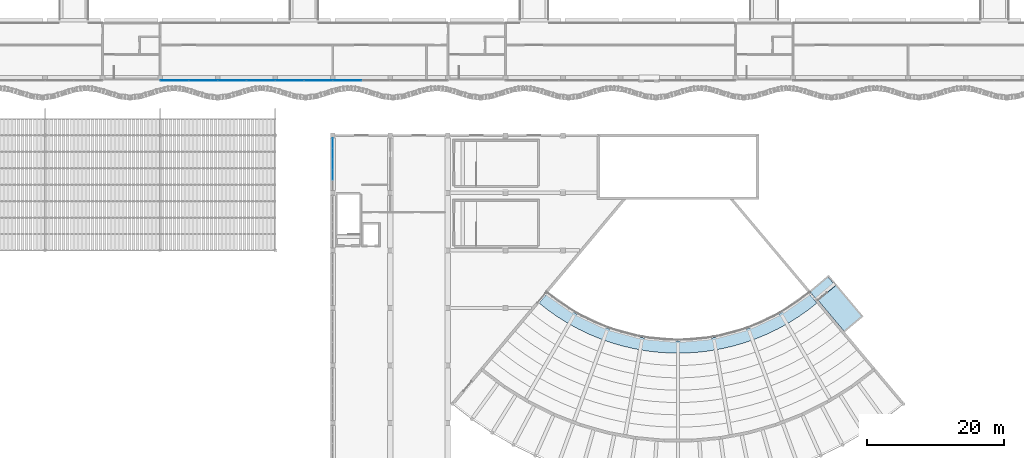
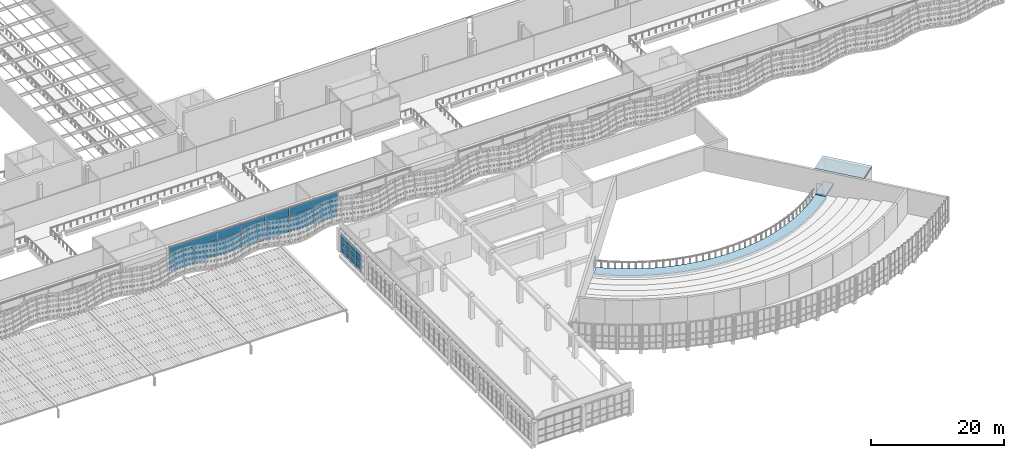
# One storey, part 73 of 162: 33 plates, 3 slabs, 2 elements without a shape of their own.
"""IFC4 building model written with IfcOpenShell, lengths in metres."""

from ifc_helpers import new_model, si_unit, direction, frame, origin, origin_2d, place, context, subcontext, project, spatial, polyline, rectangle, outline, extrude, material, layer, layer_set, type_object, element, aggregate, save


model = new_model("IFC4")

# Units and contexts
model_context = context("Model", 3, precision=1e-05, world=origin(), true_north=direction((0.0, 1.0)))
body_context = subcontext(model_context, "Body", "Model", "MODEL_VIEW")
ifc_project = project(units=[si_unit("LENGTHUNIT", "METRE"), si_unit("AREAUNIT", "SQUARE_METRE"), si_unit("VOLUMEUNIT", "CUBIC_METRE"), si_unit("PLANEANGLEUNIT", "RADIAN"), si_unit("MASSUNIT", "GRAM", prefix="KILO")], contexts=[model_context])

# Site, building, storey
site_placement = place(None, origin())
site = spatial("IfcSite", under=ifc_project, at=site_placement, CompositionType="ELEMENT")
building_placement = place(site_placement, origin())
building = spatial("IfcBuilding", under=site, at=building_placement, Name="Rain Tree Exposition and Congress Centre", CompositionType="ELEMENT")
storey_placement = place(building_placement, frame((0.0, 0.0, 6.0)))
storey = spatial("IfcBuildingStorey", under=building, at=storey_placement, Name="L01", CompositionType="ELEMENT", Elevation=6.0)

# Slab
ifc_material_1 = material(Name="Precast concrete C50/60", Category="concrete")
ifc_layer_1 = layer(ifc_material_1, 0.449951171875)
ifc_layer_set_1 = layer_set([ifc_layer_1], Name="Precast concrete C50/60")
slab_type_1 = type_object("IfcSlabType", Name="Balcony step slab 450", PredefinedType="FLOOR", material=ifc_layer_set_1)
slab_1_placement = place(storey_placement, frame((0.0, 0.0, -0.449951171875)))
element("IfcSlab", 1, at=slab_1_placement, inside=storey, type_object=slab_type_1, Name="Upper tier row 1", ObjectType="SEATING TIER", PredefinedType="USERDEFINED", context=body_context, shape_type="SweptSolid", body=[
    extrude(outline(polyline([(220.64892578125, 41.73681640625), (221.8837890625, 42.715576171875), (220.7265625, 44.0947265625), (219.453857421875, 43.091064453125), (217.958251953125, 42.05224609375), (216.40234375, 41.106201171875), (214.7919921875, 40.256103515625), (213.133056640625, 39.50537109375), (211.431640625, 38.856689453125), (209.69384765625, 38.3125), (207.926513671875, 37.87451171875), (206.135498046875, 37.544921875), (204.327880859375, 37.32421875), (202.510498046875, 37.2138671875), (200.689453125, 37.2138671875), (198.8720703125, 37.32421875), (197.064453125, 37.544921875), (195.273681640625, 37.87451171875), (193.506103515625, 38.3125), (191.768310546875, 38.856689453125), (190.06689453125, 39.50537109375), (188.407958984375, 40.256103515625), (186.797607421875, 41.106201171875), (185.24169921875, 42.05224609375), (183.74609375, 43.091064453125), (182.473388671875, 44.0947265625), (181.316162109375, 42.715576171875), (182.551025390625, 41.73681640625), (184.002197265625, 40.713134765625), (185.508056640625, 39.772216796875), (187.064208984375, 38.91650390625), (188.665771484375, 38.1494140625), (190.3076171875, 37.472412109375), (191.984619140625, 36.888427734375), (193.691650390625, 36.399169921875), (195.42333984375, 36.005615234375), (197.17431640625, 35.70947265625), (198.93896484375, 35.511474609375), (200.712158203125, 35.412353515625), (202.48779296875, 35.412353515625), (204.260986328125, 35.511474609375), (206.025634765625, 35.70947265625), (207.776611328125, 36.005615234375), (209.50830078125, 36.399169921875), (211.21533203125, 36.888427734375), (212.892333984375, 37.472412109375), (214.5341796875, 38.1494140625), (216.1357421875, 38.91650390625), (217.69189453125, 39.772216796875), (219.197998046875, 40.713134765625), (220.64892578125, 41.73681640625)])), origin(), (0.0, 0.0, 1.0), 0.449951171875),
])

# Curtain wall, plates
ifc_material_2 = material(Name="Aluminium curtain wall system", Category="aluminium")
ifc_layer_2 = layer(ifc_material_2, 0.10009765625)
ifc_layer_set_2 = layer_set([ifc_layer_2], Name="Aluminium curtain wall system")
curtain_wall_type_1 = type_object("IfcCurtainWallType", Name="Concourse curtain wall 4200 module", PredefinedType="NOTDEFINED", material=ifc_layer_set_2)
curtain_wall_1_placement = place(storey_placement, origin())
curtain_wall_1 = element("IfcCurtainWall", 2, at=curtain_wall_1_placement, inside=storey, type_object=curtain_wall_type_1, Name="Concourse curtain wall CWC25", PredefinedType="NOTDEFINED")
ifc_material_3 = material(Name="Laminated low-e glass", Category="glass")
ifc_layer_3 = layer(ifc_material_3, 0.028076171875)
ifc_layer_set_3 = layer_set([ifc_layer_3], Name="Laminated low-e glass")
plate_type_1 = type_object("IfcPlateType", Name="Concourse curtain wall glass panel 28", PredefinedType="CURTAIN_PANEL", material=ifc_layer_set_3)
plate_1_placement = place(storey_placement, frame((128.114990234375, 75.199951171875, 0.06005859375), z_axis=(0.0, 0.0, 1.0), x_axis=(1.0, 0.0, 0.0)))
plate_1 = element("IfcPlate", 3, at=plate_1_placement, type_object=plate_type_1, Name="CWC25 panel 1.1", PredefinedType="CURTAIN_PANEL", context=body_context, shape_type="SweptSolid", body=[
    extrude(rectangle(XDim=4.110107421875, YDim=0.028076171875, at=origin_2d()), origin(), (0.0, 0.0, 1.0), 1.409912109375),
])
plate_2_placement = place(storey_placement, frame((128.114990234375, 75.199951171875, 1.530029296875), z_axis=(0.0, 0.0, 1.0), x_axis=(1.0, 0.0, 0.0)))
plate_2 = element("IfcPlate", 4, at=plate_2_placement, type_object=plate_type_1, Name="CWC25 panel 1.2", PredefinedType="CURTAIN_PANEL", context=body_context, shape_type="SweptSolid", body=[
    extrude(rectangle(XDim=4.110107421875, YDim=0.028076171875, at=origin_2d()), origin(), (0.0, 0.0, 1.0), 1.43994140625),
])
plate_3_placement = place(storey_placement, frame((128.114990234375, 75.199951171875, 3.0302734375), z_axis=(0.0, 0.0, 1.0), x_axis=(1.0, 0.0, 0.0)))
plate_3 = element("IfcPlate", 5, at=plate_3_placement, type_object=plate_type_1, Name="CWC25 panel 1.3", PredefinedType="CURTAIN_PANEL", context=body_context, shape_type="SweptSolid", body=[
    extrude(rectangle(XDim=4.110107421875, YDim=0.028076171875, at=origin_2d()), origin(), (0.0, 0.0, 1.0), 1.409912109375),
])
plate_4_placement = place(storey_placement, frame((132.300048828125, 75.199951171875, 0.06005859375), z_axis=(0.0, 0.0, 1.0), x_axis=(1.0, 0.0, 0.0)))
plate_4 = element("IfcPlate", 6, at=plate_4_placement, type_object=plate_type_1, Name="CWC25 panel 2.1", PredefinedType="CURTAIN_PANEL", context=body_context, shape_type="SweptSolid", body=[
    extrude(rectangle(XDim=4.139892578125, YDim=0.028076171875, at=origin_2d()), origin(), (0.0, 0.0, 1.0), 1.409912109375),
])
plate_5_placement = place(storey_placement, frame((132.300048828125, 75.199951171875, 1.530029296875), z_axis=(0.0, 0.0, 1.0), x_axis=(1.0, 0.0, 0.0)))
plate_5 = element("IfcPlate", 7, at=plate_5_placement, type_object=plate_type_1, Name="CWC25 panel 2.2", PredefinedType="CURTAIN_PANEL", context=body_context, shape_type="SweptSolid", body=[
    extrude(rectangle(XDim=4.139892578125, YDim=0.028076171875, at=origin_2d()), origin(), (0.0, 0.0, 1.0), 1.43994140625),
])
plate_6_placement = place(storey_placement, frame((132.300048828125, 75.199951171875, 3.0302734375), z_axis=(0.0, 0.0, 1.0), x_axis=(1.0, 0.0, 0.0)))
plate_6 = element("IfcPlate", 8, at=plate_6_placement, type_object=plate_type_1, Name="CWC25 panel 2.3", PredefinedType="CURTAIN_PANEL", context=body_context, shape_type="SweptSolid", body=[
    extrude(rectangle(XDim=4.139892578125, YDim=0.028076171875, at=origin_2d()), origin(), (0.0, 0.0, 1.0), 1.409912109375),
])
plate_7_placement = place(storey_placement, frame((136.5, 75.199951171875, 0.06005859375), z_axis=(0.0, 0.0, 1.0), x_axis=(1.0, 0.0, 0.0)))
plate_7 = element("IfcPlate", 9, at=plate_7_placement, type_object=plate_type_1, Name="CWC25 panel 3.1", PredefinedType="CURTAIN_PANEL", context=body_context, shape_type="SweptSolid", body=[
    extrude(rectangle(XDim=4.139892578125, YDim=0.028076171875, at=origin_2d()), origin(), (0.0, 0.0, 1.0), 1.409912109375),
])
plate_8_placement = place(storey_placement, frame((136.5, 75.199951171875, 1.530029296875), z_axis=(0.0, 0.0, 1.0), x_axis=(1.0, 0.0, 0.0)))
plate_8 = element("IfcPlate", 10, at=plate_8_placement, type_object=plate_type_1, Name="CWC25 panel 3.2", PredefinedType="CURTAIN_PANEL", context=body_context, shape_type="SweptSolid", body=[
    extrude(rectangle(XDim=4.139892578125, YDim=0.028076171875, at=origin_2d()), origin(), (0.0, 0.0, 1.0), 1.43994140625),
])
plate_9_placement = place(storey_placement, frame((136.5, 75.199951171875, 3.0302734375), z_axis=(0.0, 0.0, 1.0), x_axis=(1.0, 0.0, 0.0)))
plate_9 = element("IfcPlate", 11, at=plate_9_placement, type_object=plate_type_1, Name="CWC25 panel 3.3", PredefinedType="CURTAIN_PANEL", context=body_context, shape_type="SweptSolid", body=[
    extrude(rectangle(XDim=4.139892578125, YDim=0.028076171875, at=origin_2d()), origin(), (0.0, 0.0, 1.0), 1.409912109375),
])
plate_10_placement = place(storey_placement, frame((140.699951171875, 75.199951171875, 0.06005859375), z_axis=(0.0, 0.0, 1.0), x_axis=(1.0, 0.0, 0.0)))
plate_10 = element("IfcPlate", 12, at=plate_10_placement, type_object=plate_type_1, Name="CWC25 panel 4.1", PredefinedType="CURTAIN_PANEL", context=body_context, shape_type="SweptSolid", body=[
    extrude(rectangle(XDim=4.139892578125, YDim=0.028076171875, at=origin_2d()), origin(), (0.0, 0.0, 1.0), 1.409912109375),
])
plate_11_placement = place(storey_placement, frame((140.699951171875, 75.199951171875, 1.530029296875), z_axis=(0.0, 0.0, 1.0), x_axis=(1.0, 0.0, 0.0)))
plate_11 = element("IfcPlate", 13, at=plate_11_placement, type_object=plate_type_1, Name="CWC25 panel 4.2", PredefinedType="CURTAIN_PANEL", context=body_context, shape_type="SweptSolid", body=[
    extrude(rectangle(XDim=4.139892578125, YDim=0.028076171875, at=origin_2d()), origin(), (0.0, 0.0, 1.0), 1.43994140625),
])
plate_12_placement = place(storey_placement, frame((140.699951171875, 75.199951171875, 3.0302734375), z_axis=(0.0, 0.0, 1.0), x_axis=(1.0, 0.0, 0.0)))
plate_12 = element("IfcPlate", 14, at=plate_12_placement, type_object=plate_type_1, Name="CWC25 panel 4.3", PredefinedType="CURTAIN_PANEL", context=body_context, shape_type="SweptSolid", body=[
    extrude(rectangle(XDim=4.139892578125, YDim=0.028076171875, at=origin_2d()), origin(), (0.0, 0.0, 1.0), 1.409912109375),
])
plate_13_placement = place(storey_placement, frame((144.89990234375, 75.199951171875, 0.06005859375), z_axis=(0.0, 0.0, 1.0), x_axis=(1.0, 0.0, 0.0)))
plate_13 = element("IfcPlate", 15, at=plate_13_placement, type_object=plate_type_1, Name="CWC25 panel 5.1", PredefinedType="CURTAIN_PANEL", context=body_context, shape_type="SweptSolid", body=[
    extrude(rectangle(XDim=4.139892578125, YDim=0.028076171875, at=origin_2d()), origin(), (0.0, 0.0, 1.0), 1.409912109375),
])
plate_14_placement = place(storey_placement, frame((144.89990234375, 75.199951171875, 1.530029296875), z_axis=(0.0, 0.0, 1.0), x_axis=(1.0, 0.0, 0.0)))
plate_14 = element("IfcPlate", 16, at=plate_14_placement, type_object=plate_type_1, Name="CWC25 panel 5.2", PredefinedType="CURTAIN_PANEL", context=body_context, shape_type="SweptSolid", body=[
    extrude(rectangle(XDim=4.139892578125, YDim=0.028076171875, at=origin_2d()), origin(), (0.0, 0.0, 1.0), 1.43994140625),
])
plate_15_placement = place(storey_placement, frame((144.89990234375, 75.199951171875, 3.0302734375), z_axis=(0.0, 0.0, 1.0), x_axis=(1.0, 0.0, 0.0)))
plate_15 = element("IfcPlate", 17, at=plate_15_placement, type_object=plate_type_1, Name="CWC25 panel 5.3", PredefinedType="CURTAIN_PANEL", context=body_context, shape_type="SweptSolid", body=[
    extrude(rectangle(XDim=4.139892578125, YDim=0.028076171875, at=origin_2d()), origin(), (0.0, 0.0, 1.0), 1.409912109375),
])
plate_16_placement = place(storey_placement, frame((149.10009765625, 75.199951171875, 0.06005859375), z_axis=(0.0, 0.0, 1.0), x_axis=(1.0, 0.0, 0.0)))
plate_16 = element("IfcPlate", 18, at=plate_16_placement, type_object=plate_type_1, Name="CWC25 panel 6.1", PredefinedType="CURTAIN_PANEL", context=body_context, shape_type="SweptSolid", body=[
    extrude(rectangle(XDim=4.139892578125, YDim=0.028076171875, at=origin_2d()), origin(), (0.0, 0.0, 1.0), 1.409912109375),
])
plate_17_placement = place(storey_placement, frame((149.10009765625, 75.199951171875, 1.530029296875), z_axis=(0.0, 0.0, 1.0), x_axis=(1.0, 0.0, 0.0)))
plate_17 = element("IfcPlate", 19, at=plate_17_placement, type_object=plate_type_1, Name="CWC25 panel 6.2", PredefinedType="CURTAIN_PANEL", context=body_context, shape_type="SweptSolid", body=[
    extrude(rectangle(XDim=4.139892578125, YDim=0.028076171875, at=origin_2d()), origin(), (0.0, 0.0, 1.0), 1.43994140625),
])
plate_18_placement = place(storey_placement, frame((149.10009765625, 75.199951171875, 3.0302734375), z_axis=(0.0, 0.0, 1.0), x_axis=(1.0, 0.0, 0.0)))
plate_18 = element("IfcPlate", 20, at=plate_18_placement, type_object=plate_type_1, Name="CWC25 panel 6.3", PredefinedType="CURTAIN_PANEL", context=body_context, shape_type="SweptSolid", body=[
    extrude(rectangle(XDim=4.139892578125, YDim=0.028076171875, at=origin_2d()), origin(), (0.0, 0.0, 1.0), 1.409912109375),
])
plate_19_placement = place(storey_placement, frame((153.300048828125, 75.199951171875, 0.06005859375), z_axis=(0.0, 0.0, 1.0), x_axis=(1.0, 0.0, 0.0)))
plate_19 = element("IfcPlate", 21, at=plate_19_placement, type_object=plate_type_1, Name="CWC25 panel 7.1", PredefinedType="CURTAIN_PANEL", context=body_context, shape_type="SweptSolid", body=[
    extrude(rectangle(XDim=4.139892578125, YDim=0.028076171875, at=origin_2d()), origin(), (0.0, 0.0, 1.0), 1.409912109375),
])
plate_20_placement = place(storey_placement, frame((153.300048828125, 75.199951171875, 1.530029296875), z_axis=(0.0, 0.0, 1.0), x_axis=(1.0, 0.0, 0.0)))
plate_20 = element("IfcPlate", 22, at=plate_20_placement, type_object=plate_type_1, Name="CWC25 panel 7.2", PredefinedType="CURTAIN_PANEL", context=body_context, shape_type="SweptSolid", body=[
    extrude(rectangle(XDim=4.139892578125, YDim=0.028076171875, at=origin_2d()), origin(), (0.0, 0.0, 1.0), 1.43994140625),
])
plate_21_placement = place(storey_placement, frame((153.300048828125, 75.199951171875, 3.0302734375), z_axis=(0.0, 0.0, 1.0), x_axis=(1.0, 0.0, 0.0)))
plate_21 = element("IfcPlate", 23, at=plate_21_placement, type_object=plate_type_1, Name="CWC25 panel 7.3", PredefinedType="CURTAIN_PANEL", context=body_context, shape_type="SweptSolid", body=[
    extrude(rectangle(XDim=4.139892578125, YDim=0.028076171875, at=origin_2d()), origin(), (0.0, 0.0, 1.0), 1.409912109375),
])
aggregate(curtain_wall_1, [plate_1, plate_2, plate_3, plate_4, plate_5, plate_6, plate_7, plate_8, plate_9, plate_10, plate_11, plate_12, plate_13, plate_14, plate_15, plate_16, plate_17, plate_18, plate_19, plate_20, plate_21])

# Slab
ifc_material_4 = material(Name="Precast concrete C50/60", Category="concrete")
ifc_layer_4 = layer(ifc_material_4, 0.300048828125)
ifc_layer_set_4 = layer_set([ifc_layer_4], Name="Precast concrete C50/60")
slab_type_2 = type_object("IfcSlabType", Name="Foyer floor slab 300", PredefinedType="FLOOR", material=ifc_layer_set_4)
slab_2_placement = place(storey_placement, frame((222.744873046875, 44.801025390625, -0.2998046875), z_axis=(0.0, 0.0, 1.0), x_axis=(0.642787609687, -0.766044443119, 0.0)))
element("IfcSlab", 24, at=slab_2_placement, inside=storey, type_object=slab_type_2, Name="Stair ST-G2 balcony landing", PredefinedType="FLOOR", context=body_context, shape_type="SweptSolid", body=[
    extrude(rectangle(XDim=1.700439453125, YDim=3.39990234375, at=origin_2d()), origin(), (0.0, 0.0, 1.0), 0.300048828125),
])

# Curtain wall, plates
ifc_material_5 = material(Name="Aluminium", Category="aluminium")
ifc_layer_5 = layer(ifc_material_5, 0.10009765625)
ifc_layer_set_5 = layer_set([ifc_layer_5], Name="Aluminium")
curtain_wall_type_2 = type_object("IfcCurtainWallType", Name="Curtain wall congress", PredefinedType="NOTDEFINED", material=ifc_layer_set_5)
curtain_wall_2_placement = place(storey_placement, origin())
curtain_wall_2 = element("IfcCurtainWall", 25, at=curtain_wall_2_placement, inside=storey, type_object=curtain_wall_type_2, Name="Foyer curtain wall L01 bay 7", PredefinedType="NOTDEFINED")
ifc_material_6 = material(Name="Double glazed unit", Category="glass")
ifc_layer_6 = layer(ifc_material_6, 0.028076171875)
ifc_layer_set_6 = layer_set([ifc_layer_6], Name="Double glazed unit")
plate_type_2 = type_object("IfcPlateType", Name="Glazing panel 28 congress", PredefinedType="CURTAIN_PANEL", material=ifc_layer_set_6)
plate_22_placement = place(storey_placement, frame((151.199951171875, 61.4599609375, 0.06005859375), z_axis=(0.0, 0.0, 1.0), x_axis=(0.0, 1.0, 0.0)))
plate_22 = element("IfcPlate", 26, at=plate_22_placement, type_object=plate_type_2, Name="CWG407 panel 2.1", PredefinedType="CURTAIN_PANEL", context=body_context, shape_type="SweptSolid", body=[
    extrude(rectangle(XDim=1.47998046875, YDim=0.028076171875, at=origin_2d()), origin(), (0.0, 0.0, 1.0), 1.110107421875),
])
plate_23_placement = place(storey_placement, frame((151.199951171875, 61.4599609375, 1.22998046875), z_axis=(0.0, 0.0, 1.0), x_axis=(0.0, 1.0, 0.0)))
plate_23 = element("IfcPlate", 27, at=plate_23_placement, type_object=plate_type_2, Name="CWG407 panel 2.2", PredefinedType="CURTAIN_PANEL", context=body_context, shape_type="SweptSolid", body=[
    extrude(rectangle(XDim=1.47998046875, YDim=0.028076171875, at=origin_2d()), origin(), (0.0, 0.0, 1.0), 1.139892578125),
])
plate_24_placement = place(storey_placement, frame((151.199951171875, 61.4599609375, 2.43017578125), z_axis=(0.0, 0.0, 1.0), x_axis=(0.0, 1.0, 0.0)))
plate_24 = element("IfcPlate", 28, at=plate_24_placement, type_object=plate_type_2, Name="CWG407 panel 2.3", PredefinedType="CURTAIN_PANEL", context=body_context, shape_type="SweptSolid", body=[
    extrude(rectangle(XDim=1.47998046875, YDim=0.028076171875, at=origin_2d()), origin(), (0.0, 0.0, 1.0), 1.090087890625),
])
plate_25_placement = place(storey_placement, frame((151.199951171875, 63.0, 0.06005859375), z_axis=(0.0, 0.0, 1.0), x_axis=(0.0, 1.0, 0.0)))
plate_25 = element("IfcPlate", 29, at=plate_25_placement, type_object=plate_type_2, Name="CWG407 panel 3.1", PredefinedType="CURTAIN_PANEL", context=body_context, shape_type="SweptSolid", body=[
    extrude(rectangle(XDim=1.47998046875, YDim=0.028076171875, at=origin_2d()), origin(), (0.0, 0.0, 1.0), 1.110107421875),
])
plate_26_placement = place(storey_placement, frame((151.199951171875, 63.0, 1.22998046875), z_axis=(0.0, 0.0, 1.0), x_axis=(0.0, 1.0, 0.0)))
plate_26 = element("IfcPlate", 30, at=plate_26_placement, type_object=plate_type_2, Name="CWG407 panel 3.2", PredefinedType="CURTAIN_PANEL", context=body_context, shape_type="SweptSolid", body=[
    extrude(rectangle(XDim=1.47998046875, YDim=0.028076171875, at=origin_2d()), origin(), (0.0, 0.0, 1.0), 1.139892578125),
])
plate_27_placement = place(storey_placement, frame((151.199951171875, 63.0, 2.43017578125), z_axis=(0.0, 0.0, 1.0), x_axis=(0.0, 1.0, 0.0)))
plate_27 = element("IfcPlate", 31, at=plate_27_placement, type_object=plate_type_2, Name="CWG407 panel 3.3", PredefinedType="CURTAIN_PANEL", context=body_context, shape_type="SweptSolid", body=[
    extrude(rectangle(XDim=1.47998046875, YDim=0.028076171875, at=origin_2d()), origin(), (0.0, 0.0, 1.0), 1.090087890625),
])
plate_28_placement = place(storey_placement, frame((151.199951171875, 64.5400390625, 0.06005859375), z_axis=(0.0, 0.0, 1.0), x_axis=(0.0, 1.0, 0.0)))
plate_28 = element("IfcPlate", 32, at=plate_28_placement, type_object=plate_type_2, Name="CWG407 panel 4.1", PredefinedType="CURTAIN_PANEL", context=body_context, shape_type="SweptSolid", body=[
    extrude(rectangle(XDim=1.47998046875, YDim=0.028076171875, at=origin_2d()), origin(), (0.0, 0.0, 1.0), 1.110107421875),
])
plate_29_placement = place(storey_placement, frame((151.199951171875, 64.5400390625, 1.22998046875), z_axis=(0.0, 0.0, 1.0), x_axis=(0.0, 1.0, 0.0)))
plate_29 = element("IfcPlate", 33, at=plate_29_placement, type_object=plate_type_2, Name="CWG407 panel 4.2", PredefinedType="CURTAIN_PANEL", context=body_context, shape_type="SweptSolid", body=[
    extrude(rectangle(XDim=1.47998046875, YDim=0.028076171875, at=origin_2d()), origin(), (0.0, 0.0, 1.0), 1.139892578125),
])
plate_30_placement = place(storey_placement, frame((151.199951171875, 64.5400390625, 2.43017578125), z_axis=(0.0, 0.0, 1.0), x_axis=(0.0, 1.0, 0.0)))
plate_30 = element("IfcPlate", 34, at=plate_30_placement, type_object=plate_type_2, Name="CWG407 panel 4.3", PredefinedType="CURTAIN_PANEL", context=body_context, shape_type="SweptSolid", body=[
    extrude(rectangle(XDim=1.47998046875, YDim=0.028076171875, at=origin_2d()), origin(), (0.0, 0.0, 1.0), 1.090087890625),
])
plate_31_placement = place(storey_placement, frame((151.199951171875, 66.06494140625, 0.06005859375), z_axis=(0.0, 0.0, 1.0), x_axis=(0.0, 1.0, 0.0)))
plate_31 = element("IfcPlate", 35, at=plate_31_placement, type_object=plate_type_2, Name="CWG407 panel 5.1", PredefinedType="CURTAIN_PANEL", context=body_context, shape_type="SweptSolid", body=[
    extrude(rectangle(XDim=1.449951171875, YDim=0.028076171875, at=origin_2d()), origin(), (0.0, 0.0, 1.0), 1.110107421875),
])
plate_32_placement = place(storey_placement, frame((151.199951171875, 66.06494140625, 1.22998046875), z_axis=(0.0, 0.0, 1.0), x_axis=(0.0, 1.0, 0.0)))
plate_32 = element("IfcPlate", 36, at=plate_32_placement, type_object=plate_type_2, Name="CWG407 panel 5.2", PredefinedType="CURTAIN_PANEL", context=body_context, shape_type="SweptSolid", body=[
    extrude(rectangle(XDim=1.449951171875, YDim=0.028076171875, at=origin_2d()), origin(), (0.0, 0.0, 1.0), 1.139892578125),
])
plate_33_placement = place(storey_placement, frame((151.199951171875, 66.06494140625, 2.43017578125), z_axis=(0.0, 0.0, 1.0), x_axis=(0.0, 1.0, 0.0)))
plate_33 = element("IfcPlate", 37, at=plate_33_placement, type_object=plate_type_2, Name="CWG407 panel 5.3", PredefinedType="CURTAIN_PANEL", context=body_context, shape_type="SweptSolid", body=[
    extrude(rectangle(XDim=1.449951171875, YDim=0.028076171875, at=origin_2d()), origin(), (0.0, 0.0, 1.0), 1.090087890625),
])
aggregate(curtain_wall_2, [plate_22, plate_23, plate_24, plate_25, plate_26, plate_27, plate_28, plate_29, plate_30, plate_31, plate_32, plate_33])

# Slab
ifc_material_7 = material(Name="Precast concrete C50/60", Category="concrete")
ifc_layer_7 = layer(ifc_material_7, 0.300048828125)
ifc_layer_set_7 = layer_set([ifc_layer_7], Name="Precast concrete C50/60")
slab_type_3 = type_object("IfcSlabType", Name="Roof slab 300 congress", PredefinedType="ROOF", material=ifc_layer_set_7)
slab_3_placement = place(storey_placement, frame((0.0, 0.0, 4.199951171875)))
element("IfcSlab", 38, at=slab_3_placement, inside=storey, type_object=slab_type_3, Name="Stair ST-G2 roof", PredefinedType="ROOF", context=body_context, shape_type="SweptSolid", body=[
    extrude(outline(polyline([(220.876220703125, 44.538818359375), (225.9541015625, 38.487060546875), (228.673583984375, 40.768798828125), (223.595703125, 46.820556640625), (220.876220703125, 44.538818359375)])), origin(), (0.0, 0.0, 1.0), 0.300048828125),
])

save(model, "model.ifc")
